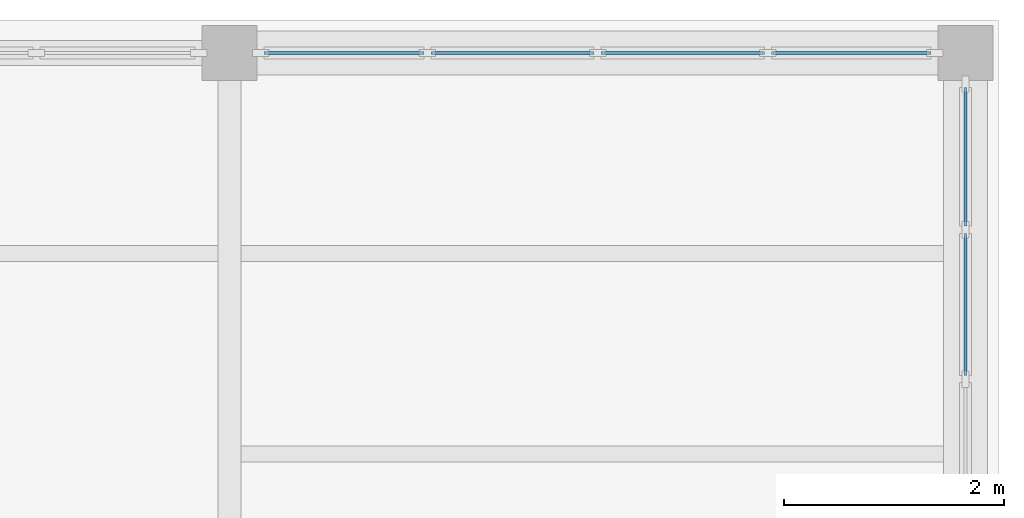
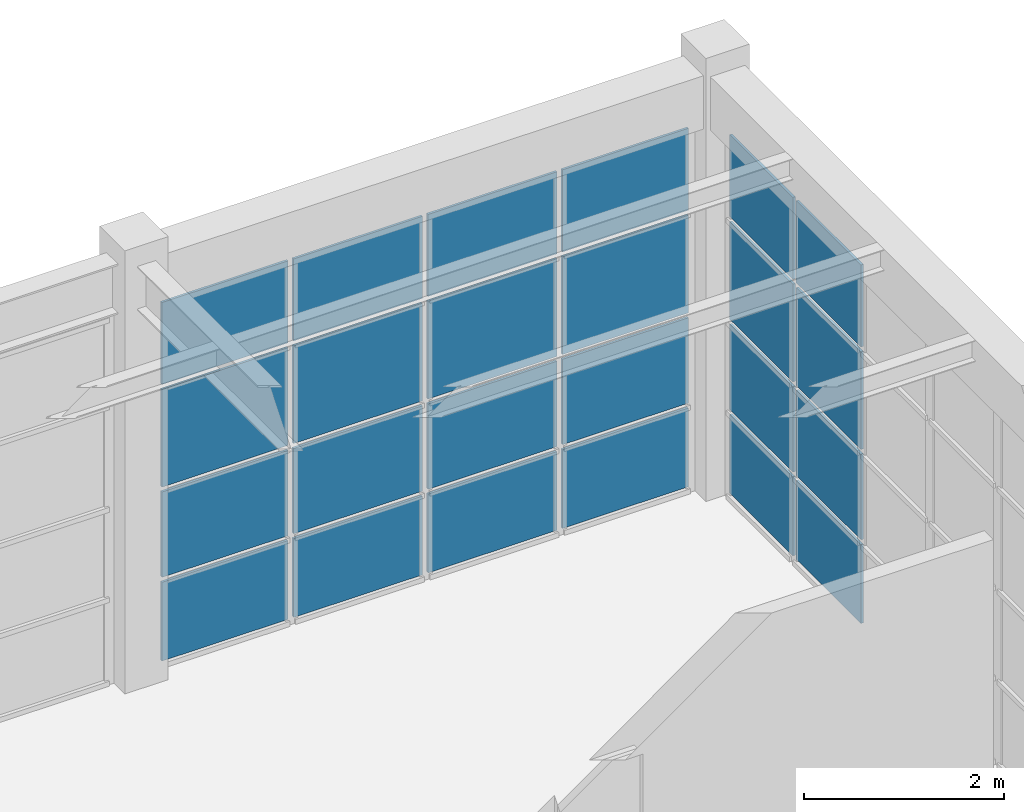
# One storey, part 84 of 103: 24 plates, 2 elements without a shape of their own.
"""IFC4 building model written with IfcOpenShell, lengths in metres."""

import ifcopenshell
import ifcopenshell.guid

model = None  # the IFC model being written
_history = None  # IfcOwnerHistory: only IFC2X3 demands one
_inside = {}  # id of a spatial element -> (the spatial element, [elements in it])
_under = {}  # id of a project, library or spatial element -> (it, [spatial elements below it])
_declared = {}  # id of a project -> (the project, [libraries it declares])
_typed = {}  # id of a type object -> (the type object, [elements of that type])
_made_of = {}  # id of a material, layer set ... -> (it, [elements and type objects made of it])


def new_model(schema):
    """Start an empty IFC model of exactly this schema.

    Asked for "IFC4X3", IfcOpenShell would pick the latest addendum, in which some entities
    have other attributes; the version numbers below select the first issue.
    IFC2X3 requires an IfcOwnerHistory on every rooted entity: one is made here for all.
    """
    global model, _history
    if schema == "IFC4X3":
        model = ifcopenshell.file(schema_version=(4, 3, 0, 0))
    else:
        model = ifcopenshell.file(schema=schema)
    _inside.clear()
    _under.clear()
    _declared.clear()
    _typed.clear()
    _made_of.clear()
    _history = None
    if model.schema == "IFC2X3":
        org = make("IfcOrganization", Name="unknown")
        user = make(
            "IfcPersonAndOrganization",
            ThePerson=make("IfcPerson", FamilyName="unknown"),
            TheOrganization=org,
        )
        app = make(
            "IfcApplication",
            ApplicationDeveloper=org,
            Version="unknown",
            ApplicationFullName="unknown",
            ApplicationIdentifier="unknown",
        )
        _history = make(
            "IfcOwnerHistory",
            OwningUser=user,
            OwningApplication=app,
            ChangeAction="ADDED",
            CreationDate=0,
        )
    return model


def make(cls, **values):
    """One entity of the class cls with the attributes given. An attribute that is None is left unset."""
    return model.create_entity(
        cls, **{name: value for name, value in values.items() if value is not None}
    )


def rooted(cls, **values):
    """An entity with a GlobalId (a new one), such as an element, a storey or a relation."""
    return make(cls, GlobalId=ifcopenshell.guid.new(), OwnerHistory=_history, **values)


def si_unit(unit_type, name, prefix=None):
    """IfcSIUnit, for example si_unit("LENGTHUNIT", "METRE", prefix="MILLI")."""
    return make("IfcSIUnit", UnitType=unit_type, Prefix=prefix, Name=name)


def assignment(units):
    """IfcUnitAssignment: the units of a project."""
    return None if units is None else make("IfcUnitAssignment", Units=units)


def point(xyz):
    """IfcCartesianPoint."""
    return None if xyz is None else make("IfcCartesianPoint", Coordinates=xyz)


def direction(xyz):
    """IfcDirection."""
    return None if xyz is None else make("IfcDirection", DirectionRatios=xyz)


def frame(location, z_axis=None, x_axis=None):
    """IfcAxis2Placement3D, a coordinate frame: its origin and axes. An axis left out is left unset."""
    return make(
        "IfcAxis2Placement3D",
        Location=point(location),
        Axis=direction(z_axis),
        RefDirection=direction(x_axis),
    )


def frame_2d(location, x_axis=None):
    """IfcAxis2Placement2D, a coordinate frame in the plane: its origin and x axis."""
    return make(
        "IfcAxis2Placement2D", Location=point(location), RefDirection=direction(x_axis)
    )


def origin():
    """The frame at (0, 0, 0) with its axes left unset."""
    return frame((0.0, 0.0, 0.0))


def origin_2d():
    """The frame at (0, 0) in the plane with its x axis left unset."""
    return frame_2d((0.0, 0.0))


def place(relative_to, where):
    """IfcLocalPlacement: puts the frame where relative to a parent placement (None: the world)."""
    return make(
        "IfcLocalPlacement", PlacementRelTo=relative_to, RelativePlacement=where
    )


def context(
    kind, dimensions, precision=None, world=None, true_north=None, identifier=None
):
    """IfcGeometricRepresentationContext, for example the 3D "Model" context."""
    return make(
        "IfcGeometricRepresentationContext",
        ContextIdentifier=identifier,
        ContextType=kind,
        CoordinateSpaceDimension=dimensions,
        Precision=precision,
        WorldCoordinateSystem=world,
        TrueNorth=true_north,
    )


def subcontext(parent, identifier, kind, view, scale=None):
    """IfcGeometricRepresentationSubContext, for example "Body" below "Model"."""
    return make(
        "IfcGeometricRepresentationSubContext",
        ContextIdentifier=identifier,
        ContextType=kind,
        ParentContext=parent,
        TargetScale=scale,
        TargetView=view,
    )


def project(units=None, contexts=None):
    """IfcProject with its units and contexts."""
    return rooted(
        "IfcProject",
        Name="project",
        RepresentationContexts=contexts,
        UnitsInContext=assignment(units),
    )


def spatial(cls, under=None, at=None, **own):
    """A site, building, storey or space (cls), placed at a placement, below another one or the project."""
    s = rooted(cls, ObjectPlacement=at, **own)
    if under is not None:
        _under.setdefault(under.id(), (under, []))[1].append(s)
    return s


def profile(cls, at=None, kind="AREA", **sizes):
    """A parametric profile (cls). Its sizes go by their IFC names, for example OverallWidth=200.0."""
    return make(cls, ProfileType=kind, Position=at, **sizes)


def rectangle(**sizes):
    """IfcRectangleProfileDef."""
    return profile("IfcRectangleProfileDef", **sizes)


def extrude(swept, where, along, depth):
    """IfcExtrudedAreaSolid: the profile swept, set in the frame where, extruded along a direction by depth."""
    return make(
        "IfcExtrudedAreaSolid",
        SweptArea=swept,
        Position=where,
        ExtrudedDirection=direction(along),
        Depth=depth,
    )


def shape(context_of_items, identifier, shape_type, items):
    """IfcShapeRepresentation: the items that make up one representation, for example the "Body"."""
    return make(
        "IfcShapeRepresentation",
        ContextOfItems=context_of_items,
        RepresentationIdentifier=identifier,
        RepresentationType=shape_type,
        Items=items,
    )


def material(Name=None, Category=None):
    """IfcMaterial."""
    return make("IfcMaterial", Name=Name, Category=Category)


def layer(
    of_material, thickness, ventilated=None, Name=None, Category=None, Priority=None
):
    """IfcMaterialLayer: one layer of a wall or slab, of a material (None: an air gap)."""
    return make(
        "IfcMaterialLayer",
        Material=of_material,
        LayerThickness=thickness,
        IsVentilated=ventilated,
        Name=Name,
        Category=Category,
        Priority=Priority,
    )


def layer_set(layers, Name=None):
    """IfcMaterialLayerSet."""
    return make("IfcMaterialLayerSet", MaterialLayers=layers, LayerSetName=Name)


def made_of(thing, what):
    """Note that an element or type object is made of a material, layer set ...; save() writes the relation."""
    if what is not None:
        _made_of.setdefault(what.id(), (what, []))[1].append(thing)
    return thing


def type_object(cls, material=None, **own):
    """A type object (cls), such as IfcWallType, which elements share."""
    return made_of(rooted(cls, **own), material)


def element(
    cls,
    number,
    at=None,
    inside=None,
    cuts=None,
    type_object=None,
    material=None,
    context=None,
    identifier="Body",
    shape_type=None,
    held_by="IfcProductDefinitionShape",
    body=None,
    shapes=None,
    **own,
):
    """One element of the class cls, such as IfcWall. Its Tag is "e" and its number.

    at: its placement. inside: the storey or other place that contains it. cuts: it is an
    opening in that element (IfcRelVoidsElement). A single representation is given by context,
    identifier, shape_type and body (its items); several are given by shapes. held_by: the class
    of the entity that holds the representations. save() writes the other relations.
    """
    e = rooted(cls, Tag="e%d" % number, ObjectPlacement=at, **own)
    if body is not None:
        shapes = [shape(context, identifier, shape_type, body)]
    if shapes is not None:
        e.Representation = make(held_by, Representations=shapes)
    if inside is not None:
        _inside.setdefault(inside.id(), (inside, []))[1].append(e)
    if cuts is not None:
        rooted(
            "IfcRelVoidsElement", RelatingBuildingElement=cuts, RelatedOpeningElement=e
        )
    if type_object is not None:
        _typed.setdefault(type_object.id(), (type_object, []))[1].append(e)
    return made_of(e, material)


def aggregate(whole, parts):
    """IfcRelAggregates: a whole, such as a stair, and the parts it consists of."""
    return rooted("IfcRelAggregates", RelatingObject=whole, RelatedObjects=parts)


def save(model, path):
    """Write the relations noted so far, then the file.

    IfcRelAggregates (storeys below a building ...), IfcRelContainedInSpatialStructure (elements
    in a storey), IfcRelDefinesByType, IfcRelAssociatesMaterial and IfcRelDeclares: one each for
    every whole, place, type object, material and project.
    """
    for whole, parts in _under.values():
        aggregate(whole, parts)
    for where, things in _inside.values():
        rooted(
            "IfcRelContainedInSpatialStructure",
            RelatedElements=things,
            RelatingStructure=where,
        )
    for kind, things in _typed.values():
        rooted("IfcRelDefinesByType", RelatedObjects=things, RelatingType=kind)
    for what, things in _made_of.values():
        rooted("IfcRelAssociatesMaterial", RelatedObjects=things, RelatingMaterial=what)
    for by, libraries in _declared.values():
        rooted("IfcRelDeclares", RelatingContext=by, RelatedDefinitions=libraries)
    model.write(path)


model = new_model("IFC4")

# Units and contexts
model_context = context("Model", 3, precision=1e-05, world=origin(), true_north=direction((0.0, 1.0)))
body_context = subcontext(model_context, "Body", "Model", "MODEL_VIEW")
ifc_project = project(units=[si_unit("LENGTHUNIT", "METRE"), si_unit("AREAUNIT", "SQUARE_METRE"), si_unit("VOLUMEUNIT", "CUBIC_METRE"), si_unit("PLANEANGLEUNIT", "RADIAN"), si_unit("MASSUNIT", "GRAM", prefix="KILO")], contexts=[model_context])

# Site, building, storey
site_placement = place(None, origin())
site = spatial("IfcSite", under=ifc_project, at=site_placement, CompositionType="ELEMENT")
building_placement = place(site_placement, origin())
building = spatial("IfcBuilding", under=site, at=building_placement, Name="Candilejo Ridge Gondola Terminal", CompositionType="ELEMENT")
storey_placement = place(building_placement, frame((0.0, 0.0, 9.0)))
storey = spatial("IfcBuildingStorey", under=building, at=storey_placement, Name="L02", CompositionType="ELEMENT", Elevation=9.0)

# Curtain wall, plates
ifc_material_1 = material(Name="Anodised aluminium AA 6063-T6", Category="aluminium")
ifc_layer_1 = layer(ifc_material_1, 0.169921875)
ifc_layer_set_1 = layer_set([ifc_layer_1], Name="ARC-CW-TOWER-3000-680X449")
curtain_wall_type_1 = type_object("IfcCurtainWallType", Name="ARC-CW-TOWER-3000-680X449", PredefinedType="NOTDEFINED", material=ifc_layer_set_1)
curtain_wall_1_placement = place(storey_placement, origin())
curtain_wall_1 = element("IfcCurtainWall", 1, at=curtain_wall_1_placement, inside=storey, type_object=curtain_wall_type_1, Name="Curtain wall V5 L02-191", PredefinedType="NOTDEFINED")
ifc_material_2 = material(Name="Low-E laminated double glazing 6+12A+6+1.52PVB+6 mm", Category="glass")
ifc_layer_2 = layer(ifc_material_2, 0.028076171875)
ifc_layer_set_2 = layer_set([ifc_layer_2], Name="ARC-CW-GLAZ-PANEL")
plate_type = type_object("IfcPlateType", Name="ARC-CW-GLAZ-PANEL", PredefinedType="CURTAIN_PANEL", material=ifc_layer_set_2)
plate_1_placement = place(storey_placement, frame((175.300048828125, 118.56005859375, 0.06005859375), z_axis=(0.0, 0.0, 1.0), x_axis=(0.0, 1.0, 0.0)))
plate_1 = element("IfcPlate", 2, at=plate_1_placement, type_object=plate_type, Name="CW-68X44 panel 4.1", PredefinedType="CURTAIN_PANEL", context=body_context, shape_type="SweptSolid", body=[
    extrude(rectangle(XDim=1.294921875, YDim=0.028076171875, at=origin_2d()), origin(), (0.0, 0.0, 1.0), 0.9599609375),
])
plate_2_placement = place(storey_placement, frame((175.300048828125, 118.56005859375, 1.080078125), z_axis=(0.0, 0.0, 1.0), x_axis=(0.0, 1.0, 0.0)))
plate_2 = element("IfcPlate", 3, at=plate_2_placement, type_object=plate_type, Name="CW-68X44 panel 4.2", PredefinedType="CURTAIN_PANEL", context=body_context, shape_type="SweptSolid", body=[
    extrude(rectangle(XDim=1.294921875, YDim=0.028076171875, at=origin_2d()), origin(), (0.0, 0.0, 1.0), 1.0400390625),
])
plate_3_placement = place(storey_placement, frame((175.300048828125, 118.56005859375, 2.179931640625), z_axis=(0.0, 0.0, 1.0), x_axis=(0.0, 1.0, 0.0)))
plate_3 = element("IfcPlate", 4, at=plate_3_placement, type_object=plate_type, Name="CW-68X44 panel 4.3", PredefinedType="CURTAIN_PANEL", context=body_context, shape_type="SweptSolid", body=[
    extrude(rectangle(XDim=1.294921875, YDim=0.028076171875, at=origin_2d()), origin(), (0.0, 0.0, 1.0), 1.18994140625),
])
plate_4_placement = place(storey_placement, frame((175.300048828125, 118.56005859375, 3.429931640625), z_axis=(0.0, 0.0, 1.0), x_axis=(0.0, 1.0, 0.0)))
plate_4 = element("IfcPlate", 5, at=plate_4_placement, type_object=plate_type, Name="CW-68X44 panel 4.4", PredefinedType="CURTAIN_PANEL", context=body_context, shape_type="SweptSolid", body=[
    extrude(rectangle(XDim=1.294921875, YDim=0.028076171875, at=origin_2d()), origin(), (0.0, 0.0, 1.0), 1.0),
])
plate_5_placement = place(storey_placement, frame((175.300048828125, 119.90380859375, 0.06005859375), z_axis=(0.0, 0.0, 1.0), x_axis=(0.0, 1.0, 0.0)))
plate_5 = element("IfcPlate", 6, at=plate_5_placement, type_object=plate_type, Name="CW-68X44 panel 5.1", PredefinedType="CURTAIN_PANEL", context=body_context, shape_type="SweptSolid", body=[
    extrude(rectangle(XDim=1.262451171875, YDim=0.028076171875, at=origin_2d()), origin(), (0.0, 0.0, 1.0), 0.9599609375),
])
plate_6_placement = place(storey_placement, frame((175.300048828125, 119.90380859375, 1.080078125), z_axis=(0.0, 0.0, 1.0), x_axis=(0.0, 1.0, 0.0)))
plate_6 = element("IfcPlate", 7, at=plate_6_placement, type_object=plate_type, Name="CW-68X44 panel 5.2", PredefinedType="CURTAIN_PANEL", context=body_context, shape_type="SweptSolid", body=[
    extrude(rectangle(XDim=1.262451171875, YDim=0.028076171875, at=origin_2d()), origin(), (0.0, 0.0, 1.0), 1.0400390625),
])
plate_7_placement = place(storey_placement, frame((175.300048828125, 119.90380859375, 2.179931640625), z_axis=(0.0, 0.0, 1.0), x_axis=(0.0, 1.0, 0.0)))
plate_7 = element("IfcPlate", 8, at=plate_7_placement, type_object=plate_type, Name="CW-68X44 panel 5.3", PredefinedType="CURTAIN_PANEL", context=body_context, shape_type="SweptSolid", body=[
    extrude(rectangle(XDim=1.262451171875, YDim=0.028076171875, at=origin_2d()), origin(), (0.0, 0.0, 1.0), 1.18994140625),
])
plate_8_placement = place(storey_placement, frame((175.300048828125, 119.90380859375, 3.429931640625), z_axis=(0.0, 0.0, 1.0), x_axis=(0.0, 1.0, 0.0)))
plate_8 = element("IfcPlate", 9, at=plate_8_placement, type_object=plate_type, Name="CW-68X44 panel 5.4", PredefinedType="CURTAIN_PANEL", context=body_context, shape_type="SweptSolid", body=[
    extrude(rectangle(XDim=1.262451171875, YDim=0.028076171875, at=origin_2d()), origin(), (0.0, 0.0, 1.0), 1.0),
])
aggregate(curtain_wall_1, [plate_1, plate_2, plate_3, plate_4, plate_5, plate_6, plate_7, plate_8])

ifc_material_3 = material(Name="Anodised aluminium AA 6063-T6", Category="aluminium")
ifc_layer_3 = layer(ifc_material_3, 0.169921875)
ifc_layer_set_3 = layer_set([ifc_layer_3], Name="ARC-CW-TOWER-3000-620X449")
curtain_wall_type_2 = type_object("IfcCurtainWallType", Name="ARC-CW-TOWER-3000-620X449", PredefinedType="NOTDEFINED", material=ifc_layer_set_3)
curtain_wall_2_placement = place(storey_placement, origin())
curtain_wall_2 = element("IfcCurtainWall", 10, at=curtain_wall_2_placement, inside=storey, type_object=curtain_wall_type_2, Name="Curtain wall V5 L02-195", PredefinedType="NOTDEFINED")
plate_9_placement = place(storey_placement, frame((169.641357421875, 120.85009765625, 0.06005859375), z_axis=(0.0, 0.0, 1.0), x_axis=(1.0, 0.0, 0.0)))
plate_9 = element("IfcPlate", 11, at=plate_9_placement, type_object=plate_type, Name="CW-62X44 panel 1.1", PredefinedType="CURTAIN_PANEL", context=body_context, shape_type="SweptSolid", body=[
    extrude(rectangle(XDim=1.452392578125, YDim=0.028076171875, at=origin_2d()), origin(), (0.0, 0.0, 1.0), 0.9599609375),
])
plate_10_placement = place(storey_placement, frame((169.641357421875, 120.85009765625, 1.080078125), z_axis=(0.0, 0.0, 1.0), x_axis=(1.0, 0.0, 0.0)))
plate_10 = element("IfcPlate", 12, at=plate_10_placement, type_object=plate_type, Name="CW-62X44 panel 1.2", PredefinedType="CURTAIN_PANEL", context=body_context, shape_type="SweptSolid", body=[
    extrude(rectangle(XDim=1.452392578125, YDim=0.028076171875, at=origin_2d()), origin(), (0.0, 0.0, 1.0), 1.0400390625),
])
plate_11_placement = place(storey_placement, frame((169.641357421875, 120.85009765625, 2.179931640625), z_axis=(0.0, 0.0, 1.0), x_axis=(1.0, 0.0, 0.0)))
plate_11 = element("IfcPlate", 13, at=plate_11_placement, type_object=plate_type, Name="CW-62X44 panel 1.3", PredefinedType="CURTAIN_PANEL", context=body_context, shape_type="SweptSolid", body=[
    extrude(rectangle(XDim=1.452392578125, YDim=0.028076171875, at=origin_2d()), origin(), (0.0, 0.0, 1.0), 1.18994140625),
])
plate_12_placement = place(storey_placement, frame((169.641357421875, 120.85009765625, 3.429931640625), z_axis=(0.0, 0.0, 1.0), x_axis=(1.0, 0.0, 0.0)))
plate_12 = element("IfcPlate", 14, at=plate_12_placement, type_object=plate_type, Name="CW-62X44 panel 1.4", PredefinedType="CURTAIN_PANEL", context=body_context, shape_type="SweptSolid", body=[
    extrude(rectangle(XDim=1.452392578125, YDim=0.028076171875, at=origin_2d()), origin(), (0.0, 0.0, 1.0), 1.0),
])
plate_13_placement = place(storey_placement, frame((171.175048828125, 120.85009765625, 0.06005859375), z_axis=(0.0, 0.0, 1.0), x_axis=(1.0, 0.0, 0.0)))
plate_13 = element("IfcPlate", 15, at=plate_13_placement, type_object=plate_type, Name="CW-62X44 panel 2.1", PredefinedType="CURTAIN_PANEL", context=body_context, shape_type="SweptSolid", body=[
    extrude(rectangle(XDim=1.485107421875, YDim=0.028076171875, at=origin_2d()), origin(), (0.0, 0.0, 1.0), 0.9599609375),
])
plate_14_placement = place(storey_placement, frame((171.175048828125, 120.85009765625, 1.080078125), z_axis=(0.0, 0.0, 1.0), x_axis=(1.0, 0.0, 0.0)))
plate_14 = element("IfcPlate", 16, at=plate_14_placement, type_object=plate_type, Name="CW-62X44 panel 2.2", PredefinedType="CURTAIN_PANEL", context=body_context, shape_type="SweptSolid", body=[
    extrude(rectangle(XDim=1.485107421875, YDim=0.028076171875, at=origin_2d()), origin(), (0.0, 0.0, 1.0), 1.0400390625),
])
plate_15_placement = place(storey_placement, frame((171.175048828125, 120.85009765625, 2.179931640625), z_axis=(0.0, 0.0, 1.0), x_axis=(1.0, 0.0, 0.0)))
plate_15 = element("IfcPlate", 17, at=plate_15_placement, type_object=plate_type, Name="CW-62X44 panel 2.3", PredefinedType="CURTAIN_PANEL", context=body_context, shape_type="SweptSolid", body=[
    extrude(rectangle(XDim=1.485107421875, YDim=0.028076171875, at=origin_2d()), origin(), (0.0, 0.0, 1.0), 1.18994140625),
])
plate_16_placement = place(storey_placement, frame((171.175048828125, 120.85009765625, 3.429931640625), z_axis=(0.0, 0.0, 1.0), x_axis=(1.0, 0.0, 0.0)))
plate_16 = element("IfcPlate", 18, at=plate_16_placement, type_object=plate_type, Name="CW-62X44 panel 2.4", PredefinedType="CURTAIN_PANEL", context=body_context, shape_type="SweptSolid", body=[
    extrude(rectangle(XDim=1.485107421875, YDim=0.028076171875, at=origin_2d()), origin(), (0.0, 0.0, 1.0), 1.0),
])
plate_17_placement = place(storey_placement, frame((172.72509765625, 120.85009765625, 0.06005859375), z_axis=(0.0, 0.0, 1.0), x_axis=(1.0, 0.0, 0.0)))
plate_17 = element("IfcPlate", 19, at=plate_17_placement, type_object=plate_type, Name="CW-62X44 panel 3.1", PredefinedType="CURTAIN_PANEL", context=body_context, shape_type="SweptSolid", body=[
    extrude(rectangle(XDim=1.485107421875, YDim=0.028076171875, at=origin_2d()), origin(), (0.0, 0.0, 1.0), 0.9599609375),
])
plate_18_placement = place(storey_placement, frame((172.72509765625, 120.85009765625, 1.080078125), z_axis=(0.0, 0.0, 1.0), x_axis=(1.0, 0.0, 0.0)))
plate_18 = element("IfcPlate", 20, at=plate_18_placement, type_object=plate_type, Name="CW-62X44 panel 3.2", PredefinedType="CURTAIN_PANEL", context=body_context, shape_type="SweptSolid", body=[
    extrude(rectangle(XDim=1.485107421875, YDim=0.028076171875, at=origin_2d()), origin(), (0.0, 0.0, 1.0), 1.0400390625),
])
plate_19_placement = place(storey_placement, frame((172.72509765625, 120.85009765625, 2.179931640625), z_axis=(0.0, 0.0, 1.0), x_axis=(1.0, 0.0, 0.0)))
plate_19 = element("IfcPlate", 21, at=plate_19_placement, type_object=plate_type, Name="CW-62X44 panel 3.3", PredefinedType="CURTAIN_PANEL", context=body_context, shape_type="SweptSolid", body=[
    extrude(rectangle(XDim=1.485107421875, YDim=0.028076171875, at=origin_2d()), origin(), (0.0, 0.0, 1.0), 1.18994140625),
])
plate_20_placement = place(storey_placement, frame((172.72509765625, 120.85009765625, 3.429931640625), z_axis=(0.0, 0.0, 1.0), x_axis=(1.0, 0.0, 0.0)))
plate_20 = element("IfcPlate", 22, at=plate_20_placement, type_object=plate_type, Name="CW-62X44 panel 3.4", PredefinedType="CURTAIN_PANEL", context=body_context, shape_type="SweptSolid", body=[
    extrude(rectangle(XDim=1.485107421875, YDim=0.028076171875, at=origin_2d()), origin(), (0.0, 0.0, 1.0), 1.0),
])
plate_21_placement = place(storey_placement, frame((174.2587890625, 120.85009765625, 0.06005859375), z_axis=(0.0, 0.0, 1.0), x_axis=(1.0, 0.0, 0.0)))
plate_21 = element("IfcPlate", 23, at=plate_21_placement, type_object=plate_type, Name="CW-62X44 panel 4.1", PredefinedType="CURTAIN_PANEL", context=body_context, shape_type="SweptSolid", body=[
    extrude(rectangle(XDim=1.452392578125, YDim=0.028076171875, at=origin_2d()), origin(), (0.0, 0.0, 1.0), 0.9599609375),
])
plate_22_placement = place(storey_placement, frame((174.2587890625, 120.85009765625, 1.080078125), z_axis=(0.0, 0.0, 1.0), x_axis=(1.0, 0.0, 0.0)))
plate_22 = element("IfcPlate", 24, at=plate_22_placement, type_object=plate_type, Name="CW-62X44 panel 4.2", PredefinedType="CURTAIN_PANEL", context=body_context, shape_type="SweptSolid", body=[
    extrude(rectangle(XDim=1.452392578125, YDim=0.028076171875, at=origin_2d()), origin(), (0.0, 0.0, 1.0), 1.0400390625),
])
plate_23_placement = place(storey_placement, frame((174.2587890625, 120.85009765625, 2.179931640625), z_axis=(0.0, 0.0, 1.0), x_axis=(1.0, 0.0, 0.0)))
plate_23 = element("IfcPlate", 25, at=plate_23_placement, type_object=plate_type, Name="CW-62X44 panel 4.3", PredefinedType="CURTAIN_PANEL", context=body_context, shape_type="SweptSolid", body=[
    extrude(rectangle(XDim=1.452392578125, YDim=0.028076171875, at=origin_2d()), origin(), (0.0, 0.0, 1.0), 1.18994140625),
])
plate_24_placement = place(storey_placement, frame((174.2587890625, 120.85009765625, 3.429931640625), z_axis=(0.0, 0.0, 1.0), x_axis=(1.0, 0.0, 0.0)))
plate_24 = element("IfcPlate", 26, at=plate_24_placement, type_object=plate_type, Name="CW-62X44 panel 4.4", PredefinedType="CURTAIN_PANEL", context=body_context, shape_type="SweptSolid", body=[
    extrude(rectangle(XDim=1.452392578125, YDim=0.028076171875, at=origin_2d()), origin(), (0.0, 0.0, 1.0), 1.0),
])
aggregate(curtain_wall_2, [plate_9, plate_10, plate_11, plate_12, plate_13, plate_14, plate_15, plate_16, plate_17, plate_18, plate_19, plate_20, plate_21, plate_22, plate_23, plate_24])

save(model, "model.ifc")
